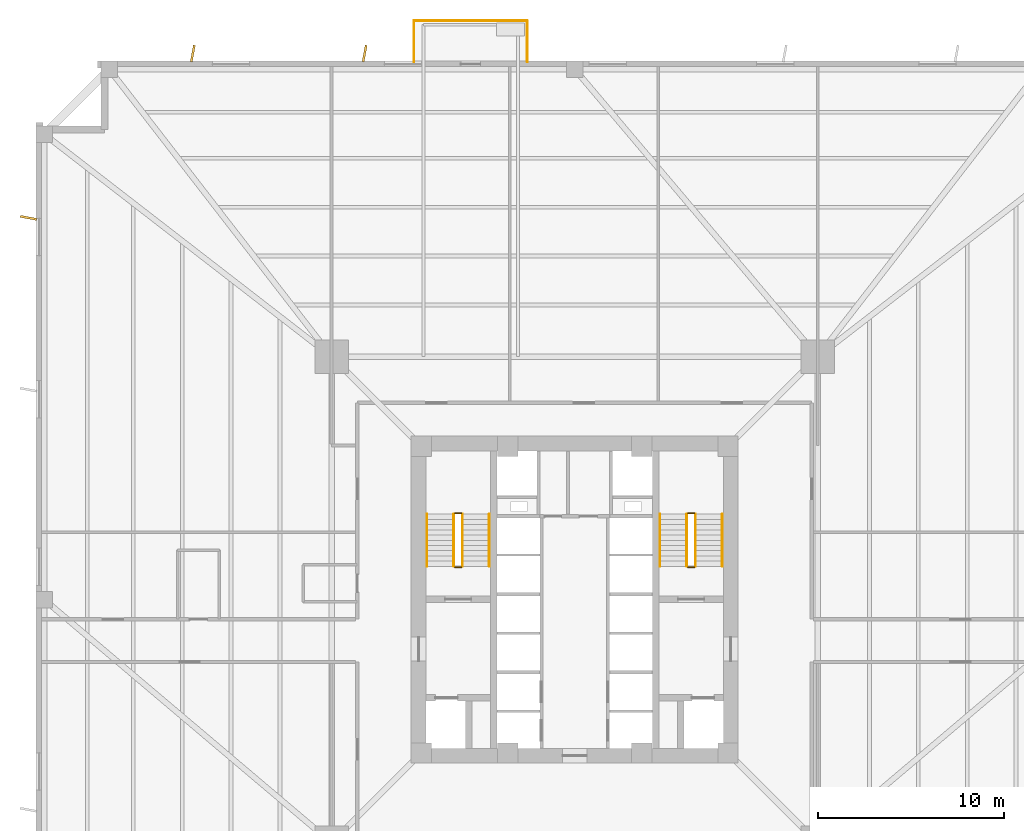
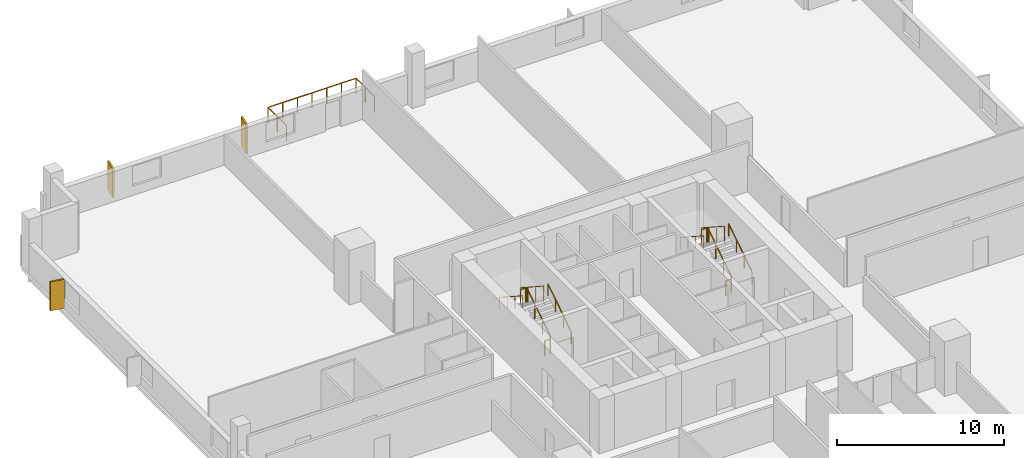
# One storey, part 7 of 8: 15 railings, 3 coverings.
"""IFC4 building model written with IfcOpenShell, lengths in metres."""

from ifc_helpers import new_model, si_unit, direction, frame, origin, origin_2d, place, context, subcontext, project, spatial, rectangle, circle, extrude, source, transform, mapped, material, layer, layer_set, type_object, element, save


model = new_model("IFC4")

# Units and contexts
model_context = context("Model", 3, precision=1e-05, world=origin(), true_north=direction((0.0, 1.0)))
body_context = subcontext(model_context, "Body", "Model", "MODEL_VIEW")
ifc_project = project(units=[si_unit("LENGTHUNIT", "METRE"), si_unit("AREAUNIT", "SQUARE_METRE"), si_unit("VOLUMEUNIT", "CUBIC_METRE"), si_unit("PLANEANGLEUNIT", "RADIAN"), si_unit("MASSUNIT", "GRAM", prefix="KILO"), si_unit("THERMODYNAMICTEMPERATUREUNIT", "KELVIN")], contexts=[model_context])

# Site, building, storey
site_placement = place(None, origin())
site = spatial("IfcSite", under=ifc_project, at=site_placement, CompositionType="ELEMENT")
building_placement = place(site_placement, origin())
building = spatial("IfcBuilding", under=site, at=building_placement, Name="Kosmvard Interchange Tower", CompositionType="ELEMENT")
storey_placement = place(building_placement, frame((0.0, 0.0, 74.0)))
storey = spatial("IfcBuildingStorey", under=building, at=storey_placement, Name="L17", CompositionType="ELEMENT", Elevation=74.0)

# Railings
ifc_material_1 = material(Name="Steel S355", Category="steel")
railing_type_1 = type_object("IfcRailingType", Name="Observation & Balcony Glass-Infill Balustrade 1150", PredefinedType="BALUSTRADE", material=ifc_material_1)
shared_shape_1 = source(origin(), body_context, "Body", "SweptSolid", [
    extrude(circle(Radius=0.02392578125, at=origin_2d()), frame((0.0, 0.0, 1.1259765625), z_axis=(0.0, -1.0, 0.0), x_axis=(1.0, 0.0, 0.0)), (0.0, 0.0, 1.0), 2.199951171875),
    extrude(circle(Radius=0.02099609375, at=origin_2d()), origin(), (0.0, 0.0, 1.0), 1.101806640625),
    extrude(circle(Radius=0.02099609375, at=origin_2d()), frame((0.0, -1.10009765625, 0.0)), (0.0, 0.0, 1.0), 1.101806640625),
    extrude(circle(Radius=0.02099609375, at=origin_2d()), frame((0.0, -2.199951171875, 0.0)), (0.0, 0.0, 1.0), 1.101806640625),
])
railing_1_placement = place(storey_placement, frame((-8.64990234375, 31.14990234375, 0.0)))
element("IfcRailing", 1, at=railing_1_placement, inside=storey, type_object=railing_type_1, Name="L17 Outdoor Terrace Guard BAL-L17-NE-C", PredefinedType="BALUSTRADE", context=body_context, shape_type="MappedRepresentation", body=[
    mapped(shared_shape_1, transform((0.0, 0.0, 0.0), scale=1.0)),
])
shared_shape_2 = source(origin(), body_context, "Body", "SweptSolid", [
    extrude(circle(Radius=0.02392578125, at=origin_2d()), frame((0.0, 0.0, 1.1259765625), z_axis=(0.0, 1.0, 0.0), x_axis=(-1.0, 0.0, 0.0)), (0.0, 0.0, 1.0), 2.199951171875),
    extrude(circle(Radius=0.02099609375, at=origin_2d()), origin(), (0.0, 0.0, 1.0), 1.101806640625),
    extrude(circle(Radius=0.02099609375, at=origin_2d()), frame((0.0, 1.10009765625, 0.0)), (0.0, 0.0, 1.0), 1.101806640625),
    extrude(circle(Radius=0.02099609375, at=origin_2d()), frame((0.0, 2.199951171875, 0.0)), (0.0, 0.0, 1.0), 1.101806640625),
])
railing_2_placement = place(storey_placement, frame((-2.550048828125, 28.949951171875, 0.0)))
element("IfcRailing", 2, at=railing_2_placement, inside=storey, type_object=railing_type_1, Name="L17 Outdoor Terrace Guard BAL-L17-NE-A", PredefinedType="BALUSTRADE", context=body_context, shape_type="MappedRepresentation", body=[
    mapped(shared_shape_2, transform((0.0, 0.0, 0.0), scale=1.0)),
])
shared_shape_3 = source(origin(), body_context, "Body", "SweptSolid", [
    extrude(circle(Radius=0.02392578125, at=origin_2d()), frame((0.0, 0.0, 1.1259765625), z_axis=(-1.0, 0.0, 0.0), x_axis=(0.0, -1.0, 0.0)), (0.0, 0.0, 1.0), 6.099853515625),
    extrude(circle(Radius=0.02099609375, at=origin_2d()), origin(), (0.0, 0.0, 1.0), 1.101806640625),
    extrude(circle(Radius=0.02099609375, at=origin_2d()), frame((-1.0166015625, 0.0, 0.0)), (0.0, 0.0, 1.0), 1.101806640625),
    extrude(circle(Radius=0.02099609375, at=origin_2d()), frame((-2.033203125, 0.0, 0.0)), (0.0, 0.0, 1.0), 1.101806640625),
    extrude(circle(Radius=0.02099609375, at=origin_2d()), frame((-3.0498046875, 0.0, 0.0)), (0.0, 0.0, 1.0), 1.101806640625),
    extrude(circle(Radius=0.02099609375, at=origin_2d()), frame((-4.066650390625, 0.0, 0.0)), (0.0, 0.0, 1.0), 1.101806640625),
    extrude(circle(Radius=0.02099609375, at=origin_2d()), frame((-5.083251953125, 0.0, 0.0)), (0.0, 0.0, 1.0), 1.101806640625),
    extrude(circle(Radius=0.02099609375, at=origin_2d()), frame((-6.099853515625, 0.0, 0.0)), (0.0, 0.0, 1.0), 1.101806640625),
])
railing_3_placement = place(storey_placement, frame((-2.550048828125, 31.14990234375, 0.0)))
element("IfcRailing", 3, at=railing_3_placement, inside=storey, type_object=railing_type_1, Name="L17 Outdoor Terrace Guard BAL-L17-NE-B", PredefinedType="BALUSTRADE", context=body_context, shape_type="MappedRepresentation", body=[
    mapped(shared_shape_3, transform((0.0, 0.0, 0.0), scale=1.0)),
])

# Coverings
ifc_material_2 = material(Name="Architectural anodised aluminium", Category="aluminium")
ifc_layer = layer(ifc_material_2, 0.1201171875, Name="Architectural anodised aluminium")
ifc_layer_set = layer_set([ifc_layer], Name="Architectural anodised aluminium")
covering_type = type_object("IfcCoveringType", Name="Rotating Vertical Sun-Breaker Fin 900x120 Aluminium", PredefinedType="CLADDING", material=ifc_layer_set)
shared_shape_4 = source(origin(), body_context, "Body", "SweptSolid", [
    extrude(rectangle(XDim=0.89990234375, YDim=0.1201171875, at=origin_2d()), origin(), (0.0, 0.0, 1.0), 2.1201171875),
])
for number, where, z_axis, x_axis, name in (
    (4, (-11.3037109375, 29.39990234375, 0.0400390625), (0.0, 0.0, 1.0), (0.18377979323, 0.982967439746, 0.0), "L17 Rotating Vertical Sun-Breaker Fin 11"),
    (5, (-20.552001953125, 29.39990234375, 0.0400390625), (0.0, 0.0, 1.0), (0.18377979323, 0.982967439746, 0.0), "L17 Rotating Vertical Sun-Breaker Fin 12"),
    (6, (-29.39990234375, 20.552001953125, 0.0400390625), (0.0, 0.0, 1.0), (-0.982967439746, 0.18377979323, 0.0), "L17 Rotating Vertical Sun-Breaker Fin 13"),
):
    element("IfcCovering", number, at=place(storey_placement, frame(where, z_axis=z_axis, x_axis=x_axis)), inside=storey, type_object=covering_type, Name=name, PredefinedType="CLADDING", context=body_context, shape_type="MappedRepresentation", body=[
        mapped(shared_shape_4, transform((0.0, 0.0, 0.0), scale=1.0)),
    ])

# Railings
railing_type_2 = type_object("IfcRailingType", Name="Stair & Terrace Safety Guardrail 1100 Steel", PredefinedType="GUARDRAIL", material=ifc_material_1)
shared_shape_5 = source(origin(), body_context, "Body", "SweptSolid", [
    extrude(circle(Radius=0.02392578125, at=origin_2d()), frame((0.0, 0.0, 1.076171875), z_axis=(-1.0, 0.0, 0.0), x_axis=(0.0, -1.0, 0.0)), (0.0, 0.0, 1.0), 0.35986328125),
    extrude(circle(Radius=0.02099609375, at=origin_2d()), origin(), (0.0, 0.0, 1.0), 1.052001953125),
    extrude(circle(Radius=0.02099609375, at=origin_2d()), frame((-0.35986328125, 0.0, 0.0)), (0.0, 0.0, 1.0), 1.052001953125),
])
for number, where, name in (
    (7, (-6.090087890625, 4.64990234375, 2.0), "L17 ST-1 stair guard 2"),
    (8, (-6.090087890625, 1.75, 0.0), "L17 ST-1 stair guard 4"),
    (9, (6.449951171875, 4.64990234375, 2.0), "L17 ST-2 stair guard 2"),
    (10, (6.449951171875, 1.75, 0.0), "L17 ST-2 stair guard 4"),
):
    element("IfcRailing", number, at=place(storey_placement, frame(where)), inside=storey, type_object=railing_type_2, Name=name, PredefinedType="GUARDRAIL", context=body_context, shape_type="MappedRepresentation", body=[
        mapped(shared_shape_5, transform((0.0, 0.0, 0.0), scale=1.0)),
    ])
shared_shape_6 = source(origin(), body_context, "Body", "SweptSolid", [
    extrude(circle(Radius=0.02392578125, at=origin_2d()), frame((0.0, 0.0, 1.076171875), z_axis=(0.0, 0.838705829183, 0.544584733623), x_axis=(-1.0, 0.0, 0.0)), (0.0, 0.0, 1.0), 3.338623046875),
    extrude(circle(Radius=0.02099609375, at=origin_2d()), origin(), (0.0, 0.0, 1.0), 1.052001953125),
    extrude(circle(Radius=0.02099609375, at=origin_2d()), frame((0.0, 0.933349609375, 0.60595703125)), (0.0, 0.0, 1.0), 1.052001953125),
    extrude(circle(Radius=0.02099609375, at=origin_2d()), frame((0.0, 1.86669921875, 1.212158203125)), (0.0, 0.0, 1.0), 1.052001953125),
    extrude(circle(Radius=0.02099609375, at=origin_2d()), frame((0.0, 2.800048828125, 1.818115234375)), (0.0, 0.0, 1.0), 1.052001953125),
])
for number, where, name in (
    (11, (-6.0400390625, 1.800048828125, 0.181884765625), "L17 ST-1 stair guard 1"),
    (12, (6.5, 1.800048828125, 0.181884765625), "L17 ST-2 stair guard 1"),
):
    element("IfcRailing", number, at=place(storey_placement, frame(where)), inside=storey, type_object=railing_type_2, Name=name, PredefinedType="GUARDRAIL", context=body_context, shape_type="MappedRepresentation", body=[
        mapped(shared_shape_6, transform((0.0, 0.0, 0.0), scale=1.0)),
    ])
shared_shape_7 = source(origin(), body_context, "Body", "SweptSolid", [
    extrude(circle(Radius=0.02392578125, at=origin_2d()), frame((0.0, 0.0, 1.076171875), z_axis=(0.0, -0.838705829183, 0.544584733623), x_axis=(1.0, 0.0, 0.0)), (0.0, 0.0, 1.0), 3.338623046875),
    extrude(circle(Radius=0.02099609375, at=origin_2d()), origin(), (0.0, 0.0, 1.0), 1.052001953125),
    extrude(circle(Radius=0.02099609375, at=origin_2d()), frame((0.0, -0.933349609375, 0.60595703125)), (0.0, 0.0, 1.0), 1.052001953125),
    extrude(circle(Radius=0.02099609375, at=origin_2d()), frame((0.0, -1.86669921875, 1.212158203125)), (0.0, 0.0, 1.0), 1.052001953125),
    extrude(circle(Radius=0.02099609375, at=origin_2d()), frame((0.0, -2.800048828125, 1.818115234375)), (0.0, 0.0, 1.0), 1.052001953125),
])
for number, where, name in (
    (13, (-6.5, 4.60009765625, 2.181884765625), "L17 ST-1 stair guard 3"),
    (14, (6.0400390625, 4.60009765625, 2.181884765625), "L17 ST-2 stair guard 3"),
):
    element("IfcRailing", number, at=place(storey_placement, frame(where)), inside=storey, type_object=railing_type_2, Name=name, PredefinedType="GUARDRAIL", context=body_context, shape_type="MappedRepresentation", body=[
        mapped(shared_shape_7, transform((0.0, 0.0, 0.0), scale=1.0)),
    ])
railing_type_3 = type_object("IfcRailingType", Name="Wall-Mounted Stair Handrail 900 Steel", PredefinedType="HANDRAIL", material=ifc_material_1)
shared_shape_8 = source(origin(), body_context, "Body", "SweptSolid", [
    extrude(circle(Radius=0.02392578125, at=origin_2d()), frame((0.0, 0.0, 0.8759765625), z_axis=(0.0, 0.838705829183, 0.544584733623), x_axis=(-1.0, 0.0, 0.0)), (0.0, 0.0, 1.0), 3.338623046875),
    extrude(circle(Radius=0.02099609375, at=origin_2d()), origin(), (0.0, 0.0, 1.0), 0.851806640625),
    extrude(circle(Radius=0.02099609375, at=origin_2d()), frame((0.0, 0.933349609375, 0.60595703125)), (0.0, 0.0, 1.0), 0.851806640625),
    extrude(circle(Radius=0.02099609375, at=origin_2d()), frame((0.0, 1.86669921875, 1.212158203125)), (0.0, 0.0, 1.0), 0.851806640625),
    extrude(circle(Radius=0.02099609375, at=origin_2d()), frame((0.0, 2.800048828125, 1.818115234375)), (0.0, 0.0, 1.0), 0.851806640625),
])
for number, where, name in (
    (15, (-4.590087890625, 1.800048828125, 0.181884765625), "L17 ST-1 stair handrail 1"),
    (16, (7.949951171875, 1.800048828125, 0.181884765625), "L17 ST-2 stair handrail 1"),
):
    element("IfcRailing", number, at=place(storey_placement, frame(where)), inside=storey, type_object=railing_type_3, Name=name, PredefinedType="HANDRAIL", context=body_context, shape_type="MappedRepresentation", body=[
        mapped(shared_shape_8, transform((0.0, 0.0, 0.0), scale=1.0)),
    ])
shared_shape_9 = source(origin(), body_context, "Body", "SweptSolid", [
    extrude(circle(Radius=0.02392578125, at=origin_2d()), frame((0.0, 0.0, 0.8759765625), z_axis=(0.0, -0.838705829183, 0.544584733623), x_axis=(1.0, 0.0, 0.0)), (0.0, 0.0, 1.0), 3.338623046875),
    extrude(circle(Radius=0.02099609375, at=origin_2d()), origin(), (0.0, 0.0, 1.0), 0.851806640625),
    extrude(circle(Radius=0.02099609375, at=origin_2d()), frame((0.0, -0.933349609375, 0.60595703125)), (0.0, 0.0, 1.0), 0.851806640625),
    extrude(circle(Radius=0.02099609375, at=origin_2d()), frame((0.0, -1.86669921875, 1.212158203125)), (0.0, 0.0, 1.0), 0.851806640625),
    extrude(circle(Radius=0.02099609375, at=origin_2d()), frame((0.0, -2.800048828125, 1.818115234375)), (0.0, 0.0, 1.0), 0.851806640625),
])
for number, where, name in (
    (17, (-7.949951171875, 4.60009765625, 2.181884765625), "L17 ST-1 stair handrail 2"),
    (18, (4.590087890625, 4.60009765625, 2.181884765625), "L17 ST-2 stair handrail 2"),
):
    element("IfcRailing", number, at=place(storey_placement, frame(where)), inside=storey, type_object=railing_type_3, Name=name, PredefinedType="HANDRAIL", context=body_context, shape_type="MappedRepresentation", body=[
        mapped(shared_shape_9, transform((0.0, 0.0, 0.0), scale=1.0)),
    ])

save(model, "model.ifc")
